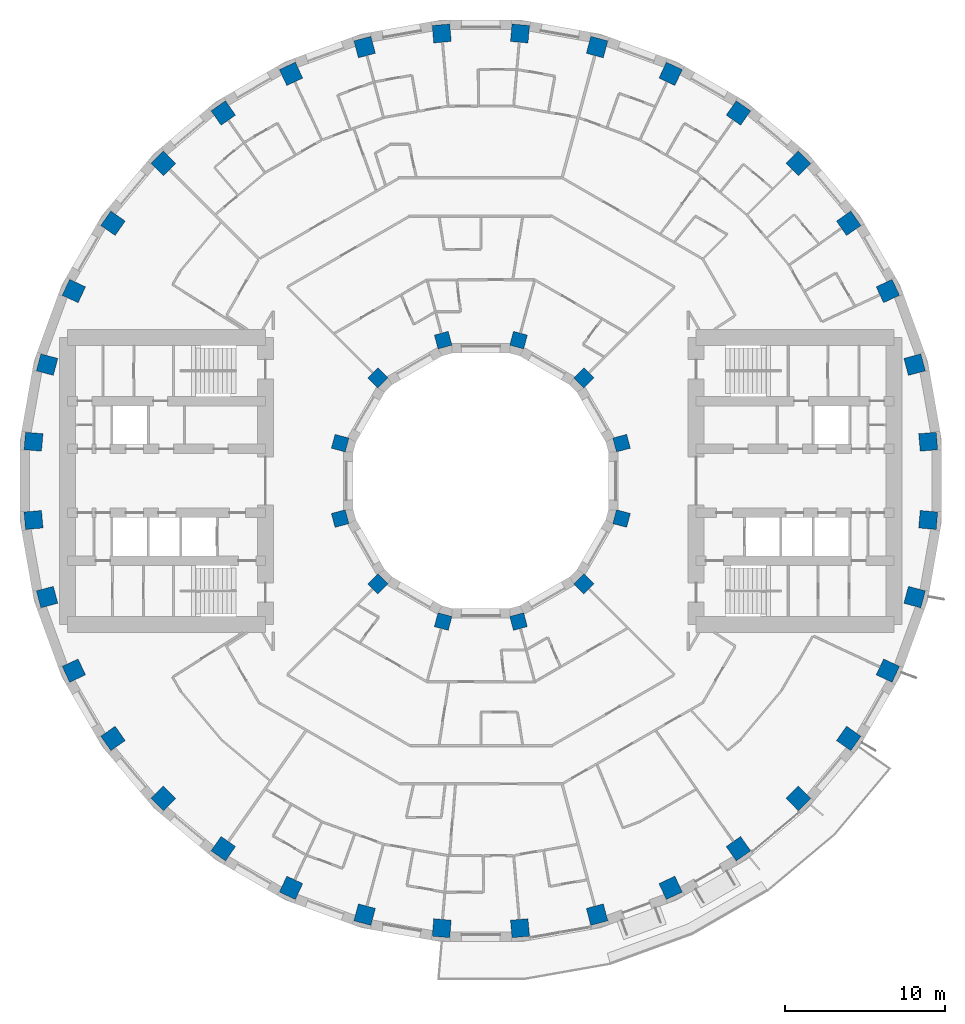
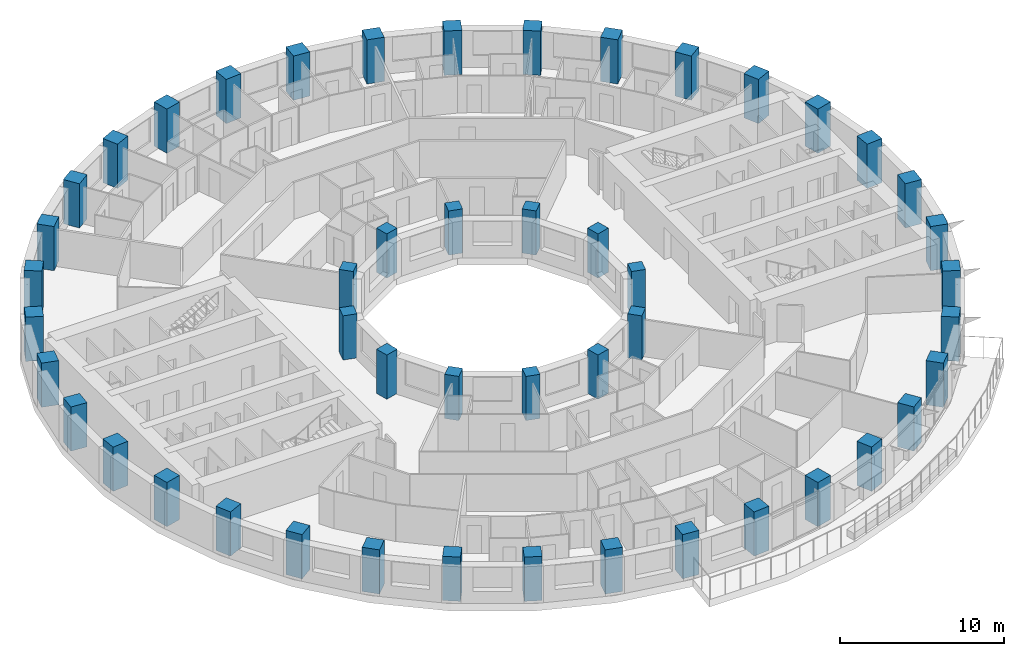
# One storey, part 1 of 16: 48 columns.
"""IFC4 building model written with IfcOpenShell, lengths in metres."""

from ifc_helpers import new_model, si_unit, direction, frame, origin, origin_2d, place, context, subcontext, project, spatial, rectangle, extrude, material, material_profile, profile_set, type_object, element, save


model = new_model("IFC4")

# Units and contexts
model_context = context("Model", 3, precision=1e-05, world=origin(), true_north=direction((0.0, 1.0)))
body_context = subcontext(model_context, "Body", "Model", "MODEL_VIEW")
ifc_project = project(units=[si_unit("LENGTHUNIT", "METRE"), si_unit("AREAUNIT", "SQUARE_METRE"), si_unit("VOLUMEUNIT", "CUBIC_METRE"), si_unit("PLANEANGLEUNIT", "RADIAN"), si_unit("MASSUNIT", "GRAM", prefix="KILO")], contexts=[model_context])

# Site, building, storey
site_placement = place(None, origin())
site = spatial("IfcSite", under=ifc_project, at=site_placement, CompositionType="ELEMENT")
building_placement = place(site_placement, origin())
building = spatial("IfcBuilding", under=site, at=building_placement, Name="Saqina Gate Tower", CompositionType="ELEMENT")
storey_placement = place(building_placement, frame((0.0, 0.0, 32.89990234375)))
storey = spatial("IfcBuildingStorey", under=building, at=storey_placement, Name="L08", CompositionType="ELEMENT", Elevation=32.89990234375)

# Columns
ifc_material_1 = material(Name="Concrete C70/85", Category="concrete")
ifc_material_profile_1 = material_profile(ifc_material_1, rectangle(XDim=0.89990234375, YDim=0.89990234375, at=origin_2d()), Name="RC 900x900")
ifc_profile_set_1 = profile_set([ifc_material_profile_1], Name="Concrete C70/85")
column_type_1 = type_object("IfcColumnType", Name="STR-COL-IN-A", PredefinedType="COLUMN", material=ifc_profile_set_1)
for number, where, z_axis, x_axis, name in (
    (1, (8.821044921875, 2.363525390625, 0.0), (0.0, 0.0, 1.0), (0.965925826289, 0.258819045103, 0.0), "L08-ICL01"),
    (2, (6.45751953125, 6.45751953125, 0.0), (0.0, 0.0, 1.0), (0.707106781187, 0.707106781187, 0.0), "L08-ICL02"),
    (3, (2.363525390625, 8.821044921875, 0.0), (0.0, 0.0, 1.0), (0.258819045103, 0.965925826289, 0.0), "L08-ICL03"),
    (4, (-2.363525390625, 8.821044921875, 0.0), (0.0, 0.0, 1.0), (-0.258819045103, 0.965925826289, 0.0), "L08-ICL04"),
    (5, (-6.45751953125, 6.45751953125, 0.0), (0.0, 0.0, 1.0), (-0.707106781187, 0.707106781187, 0.0), "L08-ICL05"),
    (6, (-8.821044921875, 2.363525390625, 0.0), (0.0, 0.0, 1.0), (-0.965925826289, 0.258819045103, 0.0), "L08-ICL06"),
    (7, (-8.821044921875, -2.363525390625, 0.0), (0.0, 0.0, 1.0), (-0.965925826289, -0.258819045103, 0.0), "L08-ICL07"),
    (8, (-6.45751953125, -6.45751953125, 0.0), (0.0, 0.0, 1.0), (-0.707106781187, -0.707106781187, 0.0), "L08-ICL08"),
    (9, (-2.363525390625, -8.821044921875, 0.0), (0.0, 0.0, 1.0), (-0.258819045103, -0.965925826289, 0.0), "L08-ICL09"),
    (10, (2.363525390625, -8.821044921875, 0.0), (0.0, 0.0, 1.0), (0.258819045103, -0.965925826289, 0.0), "L08-ICL10"),
    (11, (6.45751953125, -6.45751953125, 0.0), (0.0, 0.0, 1.0), (0.707106781187, -0.707106781187, 0.0), "L08-ICL11"),
    (12, (8.821044921875, -2.363525390625, 0.0), (0.0, 0.0, 1.0), (0.965925826289, -0.258819045103, 0.0), "L08-ICL12"),
):
    element("IfcColumn", number, at=place(storey_placement, frame(where, z_axis=z_axis, x_axis=x_axis)), inside=storey, type_object=column_type_1, Name=name, PredefinedType="COLUMN", context=body_context, shape_type="SweptSolid", body=[
        extrude(rectangle(XDim=0.89990234375, YDim=0.89990234375, at=origin_2d()), origin(), (0.0, 0.0, 1.0), 3.300048828125),
    ])
ifc_material_2 = material(Name="Concrete C70/85", Category="concrete")
ifc_material_profile_2 = material_profile(ifc_material_2, rectangle(XDim=1.10009765625, YDim=1.10009765625, at=origin_2d()), Name="RC 1100x1100")
ifc_profile_set_2 = profile_set([ifc_material_profile_2], Name="Concrete C70/85")
column_type_2 = type_object("IfcColumnType", Name="STR-COL-OUT-A", PredefinedType="COLUMN", material=ifc_profile_set_2)
for number, where, z_axis, x_axis, name in (
    (13, (28.04296875, 2.453369140625, 0.0), (0.0, 0.0, 1.0), (0.996194698092, 0.087155742748, 0.0), "L08-COL01"),
    (14, (27.19091796875, 7.28564453125, 0.0), (0.0, 0.0, 1.0), (0.965925826289, 0.258819045103, 0.0), "L08-COL02"),
    (15, (25.512451171875, 11.896728515625, 0.0), (0.0, 0.0, 1.0), (0.906307787037, 0.422618261741, 0.0), "L08-COL03"),
    (16, (23.05908203125, 16.146240234375, 0.0), (0.0, 0.0, 1.0), (0.819152044289, 0.573576436351, 0.0), "L08-COL04"),
    (17, (19.905029296875, 19.905029296875, 0.0), (0.0, 0.0, 1.0), (0.707106781187, 0.707106781187, 0.0), "L08-COL05"),
    (18, (16.146240234375, 23.05908203125, 0.0), (0.0, 0.0, 1.0), (0.573576436351, 0.819152044289, 0.0), "L08-COL06"),
    (19, (11.896728515625, 25.512451171875, 0.0), (0.0, 0.0, 1.0), (0.422618261741, 0.906307787037, 0.0), "L08-COL07"),
    (20, (7.28564453125, 27.19091796875, 0.0), (0.0, 0.0, 1.0), (0.258819045103, 0.965925826289, 0.0), "L08-COL08"),
    (21, (2.453369140625, 28.04296875, 0.0), (0.0, 0.0, 1.0), (0.087155742748, 0.996194698092, 0.0), "L08-COL09"),
    (22, (-2.453369140625, 28.04296875, 0.0), (0.0, 0.0, 1.0), (-0.087155742748, 0.996194698092, 0.0), "L08-COL10"),
    (23, (-7.28564453125, 27.19091796875, 0.0), (0.0, 0.0, 1.0), (-0.258819045103, 0.965925826289, 0.0), "L08-COL11"),
    (24, (-11.896728515625, 25.512451171875, 0.0), (0.0, 0.0, 1.0), (-0.422618261741, 0.906307787037, 0.0), "L08-COL12"),
    (25, (-16.146240234375, 23.05908203125, 0.0), (0.0, 0.0, 1.0), (-0.573576436351, 0.819152044289, 0.0), "L08-COL13"),
    (26, (-19.905029296875, 19.905029296875, 0.0), (0.0, 0.0, 1.0), (-0.707106781187, 0.707106781187, 0.0), "L08-COL14"),
    (27, (-23.05908203125, 16.146240234375, 0.0), (0.0, 0.0, 1.0), (-0.819152044289, 0.573576436351, 0.0), "L08-COL15"),
    (28, (-25.512451171875, 11.896728515625, 0.0), (0.0, 0.0, 1.0), (-0.906307787037, 0.422618261741, 0.0), "L08-COL16"),
    (29, (-27.19091796875, 7.28564453125, 0.0), (0.0, 0.0, 1.0), (-0.965925826289, 0.258819045103, 0.0), "L08-COL17"),
    (30, (-28.04296875, 2.453369140625, 0.0), (0.0, 0.0, 1.0), (-0.996194698092, 0.087155742748, 0.0), "L08-COL18"),
    (31, (-28.04296875, -2.453369140625, 0.0), (0.0, 0.0, 1.0), (-0.996194698092, -0.087155742748, 0.0), "L08-COL19"),
    (32, (-27.19091796875, -7.28564453125, 0.0), (0.0, 0.0, 1.0), (-0.965925826289, -0.258819045103, 0.0), "L08-COL20"),
    (33, (-25.512451171875, -11.896728515625, 0.0), (0.0, 0.0, 1.0), (-0.906307787037, -0.422618261741, 0.0), "L08-COL21"),
    (34, (-23.05908203125, -16.146240234375, 0.0), (0.0, 0.0, 1.0), (-0.819152044289, -0.573576436351, 0.0), "L08-COL22"),
    (35, (-19.905029296875, -19.905029296875, 0.0), (0.0, 0.0, 1.0), (-0.707106781187, -0.707106781187, 0.0), "L08-COL23"),
    (36, (-16.146240234375, -23.05908203125, 0.0), (0.0, 0.0, 1.0), (-0.573576436351, -0.819152044289, 0.0), "L08-COL24"),
    (37, (-11.896728515625, -25.512451171875, 0.0), (0.0, 0.0, 1.0), (-0.422618261741, -0.906307787037, 0.0), "L08-COL25"),
    (38, (-7.28564453125, -27.19091796875, 0.0), (0.0, 0.0, 1.0), (-0.258819045103, -0.965925826289, 0.0), "L08-COL26"),
    (39, (-2.453369140625, -28.04296875, 0.0), (0.0, 0.0, 1.0), (-0.087155742748, -0.996194698092, 0.0), "L08-COL27"),
    (40, (2.453369140625, -28.04296875, 0.0), (0.0, 0.0, 1.0), (0.087155742748, -0.996194698092, 0.0), "L08-COL28"),
    (41, (7.28564453125, -27.19091796875, 0.0), (0.0, 0.0, 1.0), (0.258819045103, -0.965925826289, 0.0), "L08-COL29"),
    (42, (11.896728515625, -25.512451171875, 0.0), (0.0, 0.0, 1.0), (0.422618261741, -0.906307787037, 0.0), "L08-COL30"),
    (43, (16.146240234375, -23.05908203125, 0.0), (0.0, 0.0, 1.0), (0.573576436351, -0.819152044289, 0.0), "L08-COL31"),
    (44, (19.905029296875, -19.905029296875, 0.0), (0.0, 0.0, 1.0), (0.707106781187, -0.707106781187, 0.0), "L08-COL32"),
    (45, (23.05908203125, -16.146240234375, 0.0), (0.0, 0.0, 1.0), (0.819152044289, -0.573576436351, 0.0), "L08-COL33"),
    (46, (25.512451171875, -11.896728515625, 0.0), (0.0, 0.0, 1.0), (0.906307787037, -0.422618261741, 0.0), "L08-COL34"),
    (47, (27.19091796875, -7.28564453125, 0.0), (0.0, 0.0, 1.0), (0.965925826289, -0.258819045103, 0.0), "L08-COL35"),
    (48, (28.04296875, -2.453369140625, 0.0), (0.0, 0.0, 1.0), (0.996194698092, -0.087155742748, 0.0), "L08-COL36"),
):
    element("IfcColumn", number, at=place(storey_placement, frame(where, z_axis=z_axis, x_axis=x_axis)), inside=storey, type_object=column_type_2, Name=name, PredefinedType="COLUMN", context=body_context, shape_type="SweptSolid", body=[
        extrude(rectangle(XDim=1.10009765625, YDim=1.10009765625, at=origin_2d()), origin(), (0.0, 0.0, 1.0), 3.300048828125),
    ])

save(model, "model.ifc")
